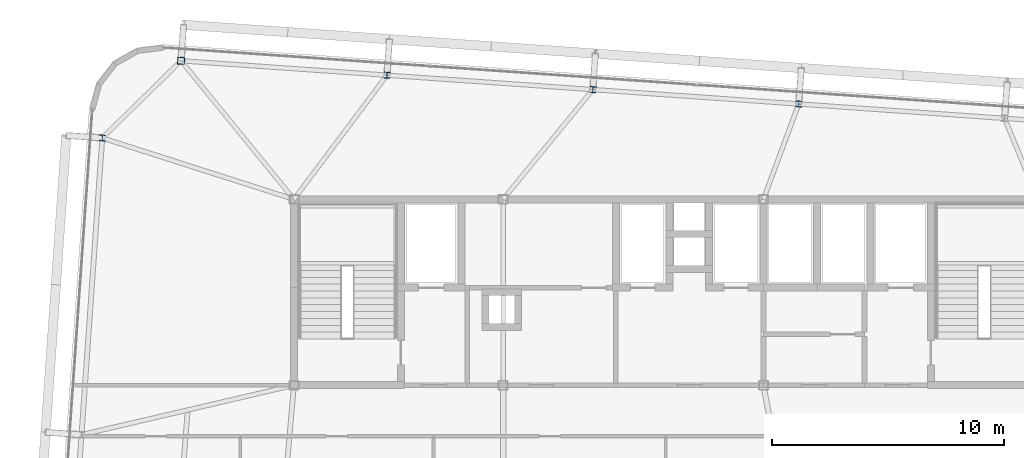
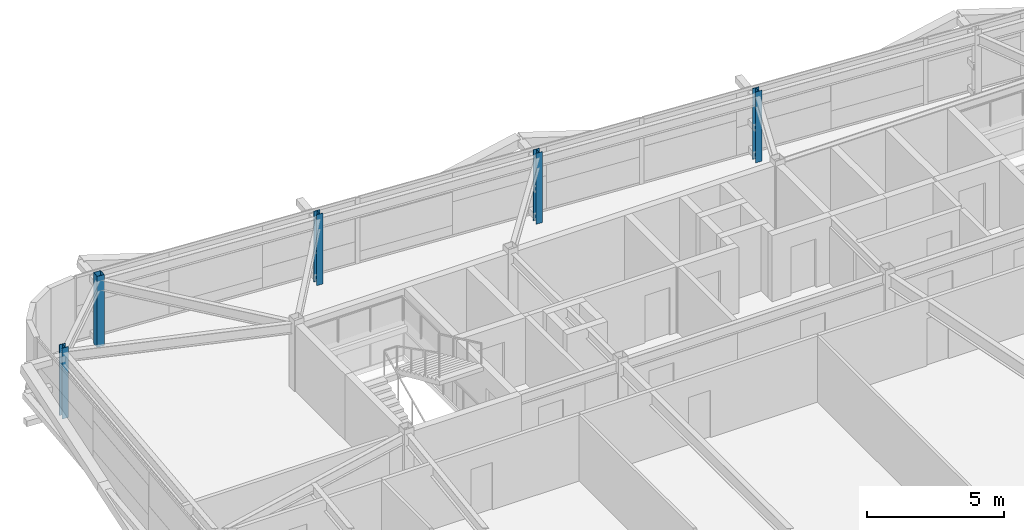
# One storey, part 4 of 39: 5 columns.
"""IFC4 building model written with IfcOpenShell, lengths in metres."""

import ifcopenshell
import ifcopenshell.guid

model = None  # the IFC model being written
_history = None  # IfcOwnerHistory: only IFC2X3 demands one
_inside = {}  # id of a spatial element -> (the spatial element, [elements in it])
_under = {}  # id of a project, library or spatial element -> (it, [spatial elements below it])
_declared = {}  # id of a project -> (the project, [libraries it declares])
_typed = {}  # id of a type object -> (the type object, [elements of that type])
_made_of = {}  # id of a material, layer set ... -> (it, [elements and type objects made of it])


def new_model(schema):
    """Start an empty IFC model of exactly this schema.

    Asked for "IFC4X3", IfcOpenShell would pick the latest addendum, in which some entities
    have other attributes; the version numbers below select the first issue.
    IFC2X3 requires an IfcOwnerHistory on every rooted entity: one is made here for all.
    """
    global model, _history
    if schema == "IFC4X3":
        model = ifcopenshell.file(schema_version=(4, 3, 0, 0))
    else:
        model = ifcopenshell.file(schema=schema)
    _inside.clear()
    _under.clear()
    _declared.clear()
    _typed.clear()
    _made_of.clear()
    _history = None
    if model.schema == "IFC2X3":
        org = make("IfcOrganization", Name="unknown")
        user = make(
            "IfcPersonAndOrganization",
            ThePerson=make("IfcPerson", FamilyName="unknown"),
            TheOrganization=org,
        )
        app = make(
            "IfcApplication",
            ApplicationDeveloper=org,
            Version="unknown",
            ApplicationFullName="unknown",
            ApplicationIdentifier="unknown",
        )
        _history = make(
            "IfcOwnerHistory",
            OwningUser=user,
            OwningApplication=app,
            ChangeAction="ADDED",
            CreationDate=0,
        )
    return model


def make(cls, **values):
    """One entity of the class cls with the attributes given. An attribute that is None is left unset."""
    return model.create_entity(
        cls, **{name: value for name, value in values.items() if value is not None}
    )


def rooted(cls, **values):
    """An entity with a GlobalId (a new one), such as an element, a storey or a relation."""
    return make(cls, GlobalId=ifcopenshell.guid.new(), OwnerHistory=_history, **values)


def si_unit(unit_type, name, prefix=None):
    """IfcSIUnit, for example si_unit("LENGTHUNIT", "METRE", prefix="MILLI")."""
    return make("IfcSIUnit", UnitType=unit_type, Prefix=prefix, Name=name)


def assignment(units):
    """IfcUnitAssignment: the units of a project."""
    return None if units is None else make("IfcUnitAssignment", Units=units)


def point(xyz):
    """IfcCartesianPoint."""
    return None if xyz is None else make("IfcCartesianPoint", Coordinates=xyz)


def direction(xyz):
    """IfcDirection."""
    return None if xyz is None else make("IfcDirection", DirectionRatios=xyz)


def frame(location, z_axis=None, x_axis=None):
    """IfcAxis2Placement3D, a coordinate frame: its origin and axes. An axis left out is left unset."""
    return make(
        "IfcAxis2Placement3D",
        Location=point(location),
        Axis=direction(z_axis),
        RefDirection=direction(x_axis),
    )


def frame_2d(location, x_axis=None):
    """IfcAxis2Placement2D, a coordinate frame in the plane: its origin and x axis."""
    return make(
        "IfcAxis2Placement2D", Location=point(location), RefDirection=direction(x_axis)
    )


def origin():
    """The frame at (0, 0, 0) with its axes left unset."""
    return frame((0.0, 0.0, 0.0))


def origin_2d():
    """The frame at (0, 0) in the plane with its x axis left unset."""
    return frame_2d((0.0, 0.0))


def place(relative_to, where):
    """IfcLocalPlacement: puts the frame where relative to a parent placement (None: the world)."""
    return make(
        "IfcLocalPlacement", PlacementRelTo=relative_to, RelativePlacement=where
    )


def context(
    kind, dimensions, precision=None, world=None, true_north=None, identifier=None
):
    """IfcGeometricRepresentationContext, for example the 3D "Model" context."""
    return make(
        "IfcGeometricRepresentationContext",
        ContextIdentifier=identifier,
        ContextType=kind,
        CoordinateSpaceDimension=dimensions,
        Precision=precision,
        WorldCoordinateSystem=world,
        TrueNorth=true_north,
    )


def subcontext(parent, identifier, kind, view, scale=None):
    """IfcGeometricRepresentationSubContext, for example "Body" below "Model"."""
    return make(
        "IfcGeometricRepresentationSubContext",
        ContextIdentifier=identifier,
        ContextType=kind,
        ParentContext=parent,
        TargetScale=scale,
        TargetView=view,
    )


def project(units=None, contexts=None):
    """IfcProject with its units and contexts."""
    return rooted(
        "IfcProject",
        Name="project",
        RepresentationContexts=contexts,
        UnitsInContext=assignment(units),
    )


def spatial(cls, under=None, at=None, **own):
    """A site, building, storey or space (cls), placed at a placement, below another one or the project."""
    s = rooted(cls, ObjectPlacement=at, **own)
    if under is not None:
        _under.setdefault(under.id(), (under, []))[1].append(s)
    return s


def profile(cls, at=None, kind="AREA", **sizes):
    """A parametric profile (cls). Its sizes go by their IFC names, for example OverallWidth=200.0."""
    return make(cls, ProfileType=kind, Position=at, **sizes)


def hollow_rectangle(**sizes):
    """IfcRectangleHollowProfileDef."""
    return profile("IfcRectangleHollowProfileDef", **sizes)


def i_section(**sizes):
    """IfcIShapeProfileDef."""
    return profile("IfcIShapeProfileDef", **sizes)


def extrude(swept, where, along, depth):
    """IfcExtrudedAreaSolid: the profile swept, set in the frame where, extruded along a direction by depth."""
    return make(
        "IfcExtrudedAreaSolid",
        SweptArea=swept,
        Position=where,
        ExtrudedDirection=direction(along),
        Depth=depth,
    )


def shape(context_of_items, identifier, shape_type, items):
    """IfcShapeRepresentation: the items that make up one representation, for example the "Body"."""
    return make(
        "IfcShapeRepresentation",
        ContextOfItems=context_of_items,
        RepresentationIdentifier=identifier,
        RepresentationType=shape_type,
        Items=items,
    )


def source(mapping_origin, context_of_items, identifier, shape_type, items):
    """IfcRepresentationMap: a shape defined once, which mapped items show again and again."""
    return make(
        "IfcRepresentationMap",
        MappingOrigin=mapping_origin,
        MappedRepresentation=shape(context_of_items, identifier, shape_type, items),
    )


def transform(
    local_origin,
    x_axis=None,
    y_axis=None,
    z_axis=None,
    scale=None,
    scale2=None,
    scale3=None,
    uniform=True,
):
    """IfcCartesianTransformationOperator3D, or its non-uniform kind. x_axis, y_axis, z_axis: its Axis1, 2, 3."""
    if uniform:
        return make(
            "IfcCartesianTransformationOperator3D",
            Axis1=direction(x_axis),
            Axis2=direction(y_axis),
            LocalOrigin=point(local_origin),
            Scale=scale,
            Axis3=direction(z_axis),
        )
    return make(
        "IfcCartesianTransformationOperator3DnonUniform",
        Axis1=direction(x_axis),
        Axis2=direction(y_axis),
        LocalOrigin=point(local_origin),
        Scale=scale,
        Axis3=direction(z_axis),
        Scale2=scale2,
        Scale3=scale3,
    )


def mapped(mapping_source, mapping_target):
    """IfcMappedItem: shows the shape of a source again, moved by a transform."""
    return make(
        "IfcMappedItem", MappingSource=mapping_source, MappingTarget=mapping_target
    )


def material(Name=None, Category=None):
    """IfcMaterial."""
    return make("IfcMaterial", Name=Name, Category=Category)


def material_profile(
    of_material, cross_section, Name=None, Category=None, Priority=None
):
    """IfcMaterialProfile: a cross section and its material."""
    return make(
        "IfcMaterialProfile",
        Name=Name,
        Material=of_material,
        Profile=cross_section,
        Priority=Priority,
        Category=Category,
    )


def profile_set(profiles, Name=None, composite=None):
    """IfcMaterialProfileSet."""
    return make(
        "IfcMaterialProfileSet",
        Name=Name,
        MaterialProfiles=profiles,
        CompositeProfile=composite,
    )


def made_of(thing, what):
    """Note that an element or type object is made of a material, layer set ...; save() writes the relation."""
    if what is not None:
        _made_of.setdefault(what.id(), (what, []))[1].append(thing)
    return thing


def type_object(cls, material=None, **own):
    """A type object (cls), such as IfcWallType, which elements share."""
    return made_of(rooted(cls, **own), material)


def element(
    cls,
    number,
    at=None,
    inside=None,
    cuts=None,
    type_object=None,
    material=None,
    context=None,
    identifier="Body",
    shape_type=None,
    held_by="IfcProductDefinitionShape",
    body=None,
    shapes=None,
    **own,
):
    """One element of the class cls, such as IfcWall. Its Tag is "e" and its number.

    at: its placement. inside: the storey or other place that contains it. cuts: it is an
    opening in that element (IfcRelVoidsElement). A single representation is given by context,
    identifier, shape_type and body (its items); several are given by shapes. held_by: the class
    of the entity that holds the representations. save() writes the other relations.
    """
    e = rooted(cls, Tag="e%d" % number, ObjectPlacement=at, **own)
    if body is not None:
        shapes = [shape(context, identifier, shape_type, body)]
    if shapes is not None:
        e.Representation = make(held_by, Representations=shapes)
    if inside is not None:
        _inside.setdefault(inside.id(), (inside, []))[1].append(e)
    if cuts is not None:
        rooted(
            "IfcRelVoidsElement", RelatingBuildingElement=cuts, RelatedOpeningElement=e
        )
    if type_object is not None:
        _typed.setdefault(type_object.id(), (type_object, []))[1].append(e)
    return made_of(e, material)


def aggregate(whole, parts):
    """IfcRelAggregates: a whole, such as a stair, and the parts it consists of."""
    return rooted("IfcRelAggregates", RelatingObject=whole, RelatedObjects=parts)


def save(model, path):
    """Write the relations noted so far, then the file.

    IfcRelAggregates (storeys below a building ...), IfcRelContainedInSpatialStructure (elements
    in a storey), IfcRelDefinesByType, IfcRelAssociatesMaterial and IfcRelDeclares: one each for
    every whole, place, type object, material and project.
    """
    for whole, parts in _under.values():
        aggregate(whole, parts)
    for where, things in _inside.values():
        rooted(
            "IfcRelContainedInSpatialStructure",
            RelatedElements=things,
            RelatingStructure=where,
        )
    for kind, things in _typed.values():
        rooted("IfcRelDefinesByType", RelatedObjects=things, RelatingType=kind)
    for what, things in _made_of.values():
        rooted("IfcRelAssociatesMaterial", RelatedObjects=things, RelatingMaterial=what)
    for by, libraries in _declared.values():
        rooted("IfcRelDeclares", RelatingContext=by, RelatedDefinitions=libraries)
    model.write(path)


model = new_model("IFC4")

# Units and contexts
model_context = context("Model", 3, precision=1e-05, world=origin(), true_north=direction((0.0, 1.0)))
body_context = subcontext(model_context, "Body", "Model", "MODEL_VIEW")
ifc_project = project(units=[si_unit("LENGTHUNIT", "METRE"), si_unit("AREAUNIT", "SQUARE_METRE"), si_unit("VOLUMEUNIT", "CUBIC_METRE"), si_unit("PLANEANGLEUNIT", "RADIAN"), si_unit("MASSUNIT", "GRAM", prefix="KILO")], contexts=[model_context])

# Site, building, storey
site_placement = place(None, origin())
site = spatial("IfcSite", under=ifc_project, at=site_placement, CompositionType="ELEMENT")
building_placement = place(site_placement, origin())
building = spatial("IfcBuilding", under=site, at=building_placement, Name="Taldren Reach Tower", CompositionType="ELEMENT")
storey_placement = place(building_placement, frame((0.0, 0.0, 148.75)))
storey = spatial("IfcBuildingStorey", under=building, at=storey_placement, Name="L45", CompositionType="ELEMENT", Elevation=148.75)

# Columns
ifc_material_1 = material(Name="Steel Gr 450 (C450L0)", Category="steel")
ifc_material_profile_1 = material_profile(ifc_material_1, hollow_rectangle(XDim=0.300048828125, YDim=0.300048828125, WallThickness=0.012451171875, at=origin_2d()), Name="300x300x12.5SHS")
ifc_profile_set_1 = profile_set([ifc_material_profile_1], Name="Steel Gr 450 (C450L0)")
column_type_1 = type_object("IfcColumnType", Name="COL-SHS300", PredefinedType="COLUMN", material=ifc_profile_set_1)
shared_shape_1 = source(origin(), body_context, "Body", "SweptSolid", [
    extrude(hollow_rectangle(XDim=0.300048828125, YDim=0.300048828125, WallThickness=0.012451171875, at=origin_2d()), origin(), (0.0, 0.0, 1.0), 3.14990234375),
])
column_placement = place(storey_placement, frame((14.14453125, 37.958740234375, 0.0), z_axis=(0.0, 0.0, 1.0), x_axis=(0.99756405026, -0.069756473744, 0.0)))
element("IfcColumn", 1, at=column_placement, inside=storey, type_object=column_type_1, Name="Block B3 perimeter column N1 L45", PredefinedType="COLUMN", context=body_context, shape_type="MappedRepresentation", body=[
    mapped(shared_shape_1, transform((0.0, 0.0, 0.0), scale=1.0)),
])
ifc_material_2 = material(Name="Steel Gr 350 (350PLUS)", Category="steel")
ifc_material_profile_2 = material_profile(ifc_material_2, i_section(OverallWidth=0.256103515625, OverallDepth=0.260009765625, WebThickness=0.010498046875, FlangeThickness=0.017333984375, at=origin_2d()), Name="250UC89.5")
ifc_profile_set_2 = profile_set([ifc_material_profile_2], Name="Steel Gr 350 (350PLUS)")
column_type_2 = type_object("IfcColumnType", Name="COL-UC250", PredefinedType="COLUMN", material=ifc_profile_set_2)
shared_shape_2 = source(origin(), body_context, "Body", "SweptSolid", [
    extrude(i_section(OverallWidth=0.256103515625, OverallDepth=0.260009765625, WebThickness=0.010498046875, FlangeThickness=0.017333984375, at=origin_2d()), origin(), (0.0, 0.0, 1.0), 3.14990234375),
])
for number, where, z_axis, x_axis, name in (
    (2, (23.0029296875, 37.33935546875, 0.0), (0.0, 0.0, 1.0), (0.99756405026, -0.069756473744, 0.0), "Block B3 perimeter column N2 L45"),
    (3, (31.861328125, 36.719970703125, 0.0), (0.0, 0.0, 1.0), (0.99756405026, -0.069756473744, 0.0), "Block B3 perimeter column N3 L45"),
    (4, (40.7197265625, 36.100341796875, 0.0), (0.0, 0.0, 1.0), (0.99756405026, -0.069756473744, 0.0), "Block B3 perimeter column N4 L45"),
    (5, (10.754638671875, 34.63720703125, 0.0), (0.0, 0.0, 1.0), (0.99756405026, -0.069756473744, 0.0), "Block B3 perimeter column W3 L45"),
):
    element("IfcColumn", number, at=place(storey_placement, frame(where, z_axis=z_axis, x_axis=x_axis)), inside=storey, type_object=column_type_2, Name=name, PredefinedType="COLUMN", context=body_context, shape_type="MappedRepresentation", body=[
        mapped(shared_shape_2, transform((0.0, 0.0, 0.0), scale=1.0)),
    ])

save(model, "model.ifc")
